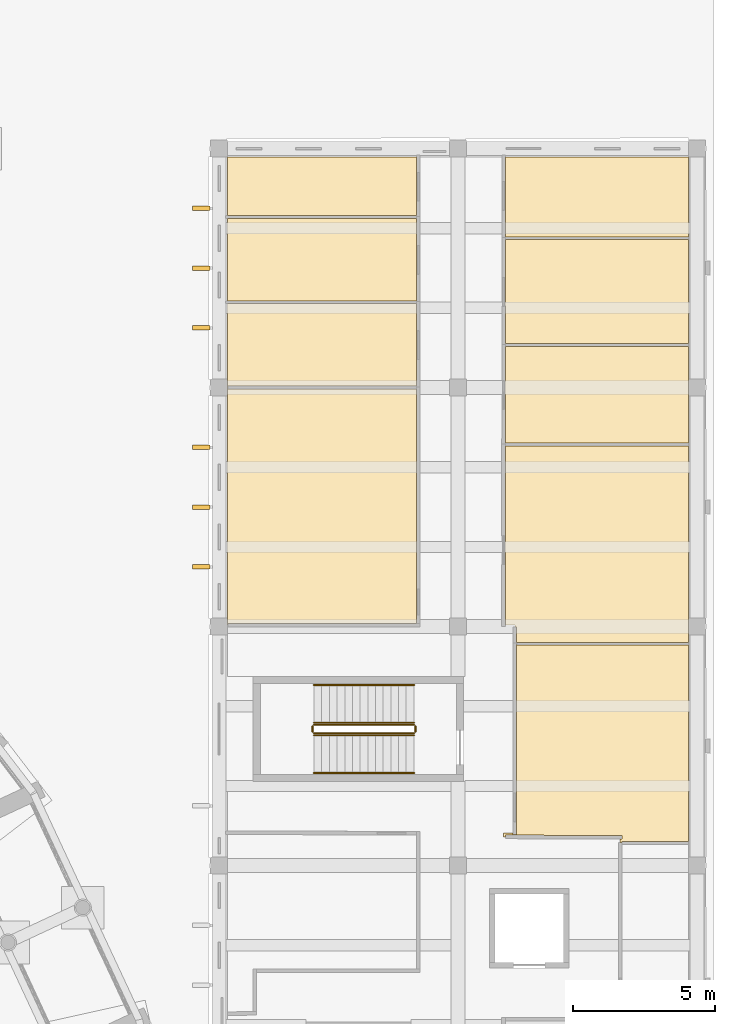
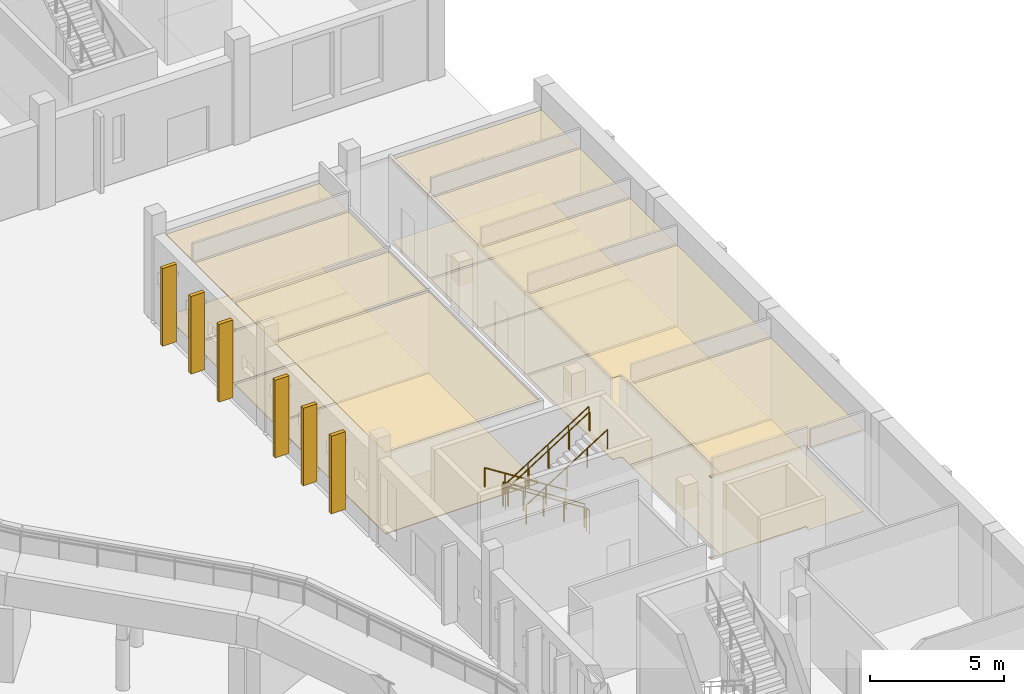
# One storey, part 91 of 110: 24 coverings, 8 railings.
"""IFC4 building model written with IfcOpenShell, lengths in metres."""

from ifc_helpers import new_model, si_unit, direction, frame, origin, origin_2d, place, context, subcontext, project, spatial, polyline, circle, outline, extrude, material, layer, layer_set, type_object, element, save


model = new_model("IFC4")

# Units and contexts
model_context = context("Model", 3, precision=1e-05, world=origin(), true_north=direction((0.0, 1.0)))
body_context = subcontext(model_context, "Body", "Model", "MODEL_VIEW")
ifc_project = project(units=[si_unit("LENGTHUNIT", "METRE"), si_unit("AREAUNIT", "SQUARE_METRE"), si_unit("VOLUMEUNIT", "CUBIC_METRE"), si_unit("PLANEANGLEUNIT", "RADIAN"), si_unit("MASSUNIT", "GRAM", prefix="KILO")], contexts=[model_context])

# Site, building, storey
site_placement = place(None, origin())
site = spatial("IfcSite", under=ifc_project, at=site_placement, CompositionType="ELEMENT")
building_placement = place(site_placement, origin())
building = spatial("IfcBuilding", under=site, at=building_placement, Name="Larchfold Concert Hall", CompositionType="ELEMENT")
storey_placement = place(building_placement, origin())
storey = spatial("IfcBuildingStorey", under=building, at=storey_placement, Name="L00", CompositionType="ELEMENT", Elevation=0.0)

# Coverings
ifc_material_1 = material(Name="Mineral fibre ceiling tile")
ifc_layer_1 = layer(ifc_material_1, 0.02001953125)
ifc_layer_set_1 = layer_set([ifc_layer_1], Name="Mineral fibre ceiling tile")
covering_type_1 = type_object("IfcCoveringType", Name="Ceiling mineral fibre tile 20", PredefinedType="CEILING", material=ifc_layer_set_1)
covering_1_placement = place(storey_placement, frame((0.0, 0.0, 3.719970703125)))
element("IfcCovering", 1, at=covering_1_placement, inside=storey, type_object=covering_type_1, Name="Ceiling Musicians' Showers", PredefinedType="CEILING", context=body_context, shape_type="SweptSolid", body=[
    extrude(outline(polyline([(91.53759765625, 51.0), (91.534912109375, 50.949951171875), (84.920166015625, 50.949951171875), (84.920166015625, 51.0), (84.900146484375, 51.0), (84.900146484375, 42.650146484375), (84.920166015625, 42.650146484375), (84.920166015625, 42.71142578125), (91.60009765625, 42.717529296875), (91.53759765625, 42.717529296875), (91.53759765625, 51.0)])), origin(), (0.0, 0.0, 1.0), 0.02001953125),
])
covering_2_placement = place(storey_placement, frame((0.0, 0.0, 3.719970703125)))
element("IfcCovering", 2, at=covering_2_placement, inside=storey, type_object=covering_type_1, Name="Ceiling Accessible WC", PredefinedType="CEILING", context=body_context, shape_type="SweptSolid", body=[
    extrude(outline(polyline([(94.66162109375, 49.0), (94.6650390625, 49.050048828125), (101.099853515625, 49.050048828125), (101.099853515625, 52.449951171875), (94.6650390625, 52.449951171875), (94.6650390625, 52.5), (94.66162109375, 49.0)])), origin(), (0.0, 0.0, 1.0), 0.02001953125),
])
ifc_material_2 = material(Name="Plasterboard ceiling lining")
ifc_layer_2 = layer(ifc_material_2, 0.030029296875)
ifc_layer_set_2 = layer_set([ifc_layer_2], Name="Plasterboard ceiling lining")
covering_type_2 = type_object("IfcCoveringType", Name="Ceiling suspended plasterboard 30", PredefinedType="CEILING", material=ifc_layer_set_2)
covering_3_placement = place(storey_placement, frame((0.0, 0.0, 3.7099609375)))
element("IfcCovering", 3, at=covering_3_placement, inside=storey, type_object=covering_type_2, Name="Ceiling Dressing Room 10", PredefinedType="CEILING", context=body_context, shape_type="SweptSolid", body=[
    extrude(outline(polyline([(95.0615234375, 42.0), (95.0615234375, 35.28857421875), (94.9365234375, 35.28857421875), (94.9365234375, 35.349853515625), (94.60009765625, 35.349853515625), (94.60009765625, 35.199951171875), (94.66162109375, 35.199951171875), (94.661865234375, 35.270263671875), (98.76171875, 35.261474609375), (98.76123046875, 35.136474609375), (98.699951171875, 35.13671875), (98.699951171875, 35.02001953125), (98.761474609375, 35.02001953125), (98.761474609375, 35.0), (98.764892578125, 35.050048828125), (101.099853515625, 35.050048828125), (101.099853515625, 41.949951171875), (95.06494140625, 41.949951171875), (95.0615234375, 42.0)])), origin(), (0.0, 0.0, 1.0), 0.030029296875),
])
covering_4_placement = place(storey_placement, frame((0.0, 0.0, 3.7099609375)))
element("IfcCovering", 4, at=covering_4_placement, inside=storey, type_object=covering_type_2, Name="Ceiling Dressing Room 11", PredefinedType="CEILING", context=body_context, shape_type="SweptSolid", body=[
    extrude(outline(polyline([(94.6650390625, 49.0), (94.66162109375, 42.650146484375), (95.0, 42.650146484375), (95.0, 42.58642578125), (95.0615234375, 42.58642578125), (95.0615234375, 42.0), (95.06494140625, 42.050048828125), (101.099853515625, 42.050048828125), (101.099853515625, 48.949951171875), (94.6650390625, 48.949951171875), (94.6650390625, 49.0)])), origin(), (0.0, 0.0, 1.0), 0.030029296875),
])
covering_5_placement = place(storey_placement, frame((0.0, 0.0, 3.7099609375)))
element("IfcCovering", 5, at=covering_5_placement, inside=storey, type_object=covering_type_2, Name="Ceiling Dressing Room 04", PredefinedType="CEILING", context=body_context, shape_type="SweptSolid", body=[
    extrude(outline(polyline([(91.534912109375, 51.0), (91.53759765625, 54.0), (91.534912109375, 53.949951171875), (84.900146484375, 53.949951171875), (84.900146484375, 51.0), (84.920166015625, 51.0), (84.920166015625, 51.050048828125), (91.534912109375, 51.050048828125), (91.534912109375, 51.0)])), origin(), (0.0, 0.0, 1.0), 0.030029296875),
])
covering_6_placement = place(storey_placement, frame((0.0, 0.0, 3.7099609375)))
element("IfcCovering", 6, at=covering_6_placement, inside=storey, type_object=covering_type_2, Name="Ceiling Dressing Room 12", PredefinedType="CEILING", context=body_context, shape_type="SweptSolid", body=[
    extrude(outline(polyline([(94.66259765625, 52.52001953125), (94.6650390625, 52.5), (94.6650390625, 52.550048828125), (101.099853515625, 52.550048828125), (101.099853515625, 56.199951171875), (94.6650390625, 56.199951171875), (94.6650390625, 56.25), (94.66259765625, 52.52001953125)])), origin(), (0.0, 0.0, 1.0), 0.030029296875),
])
covering_7_placement = place(storey_placement, frame((0.0, 0.0, 3.7099609375)))
element("IfcCovering", 7, at=covering_7_placement, inside=storey, type_object=covering_type_2, Name="Ceiling Dressing Room 05", PredefinedType="CEILING", context=body_context, shape_type="SweptSolid", body=[
    extrude(outline(polyline([(91.534912109375, 54.0), (91.53759765625, 57.0), (91.534912109375, 56.949951171875), (84.900146484375, 56.949951171875), (84.900146484375, 54.050048828125), (91.534912109375, 54.050048828125), (91.534912109375, 54.0)])), origin(), (0.0, 0.0, 1.0), 0.030029296875),
])
covering_8_placement = place(storey_placement, frame((0.0, 0.0, 3.7099609375)))
element("IfcCovering", 8, at=covering_8_placement, inside=storey, type_object=covering_type_2, Name="Ceiling Dressing Room 06", PredefinedType="CEILING", context=body_context, shape_type="SweptSolid", body=[
    extrude(outline(polyline([(91.534912109375, 57.0), (91.53759765625, 59.099853515625), (84.900146484375, 59.099853515625), (84.900146484375, 57.050048828125), (91.534912109375, 57.050048828125), (91.534912109375, 57.0)])), origin(), (0.0, 0.0, 1.0), 0.030029296875),
])
covering_9_placement = place(storey_placement, frame((0.0, 0.0, 3.7099609375)))
element("IfcCovering", 9, at=covering_9_placement, inside=storey, type_object=covering_type_2, Name="Ceiling Dressing Room 13", PredefinedType="CEILING", context=body_context, shape_type="SweptSolid", body=[
    extrude(outline(polyline([(94.66259765625, 56.25), (94.6650390625, 56.300048828125), (101.099853515625, 56.300048828125), (101.099853515625, 59.099853515625), (94.66259765625, 59.099853515625), (94.66259765625, 56.25)])), origin(), (0.0, 0.0, 1.0), 0.030029296875),
])
ifc_material_3 = material(Name="Ceramic tile")
ifc_layer_3 = layer(ifc_material_3, 0.030029296875)
ifc_layer_set_3 = layer_set([ifc_layer_3], Name="Ceramic tile")
covering_type_3 = type_object("IfcCoveringType", Name="Floor finish ceramic tile 30", PredefinedType="FLOORING", material=ifc_layer_set_3)
covering_10_placement = place(storey_placement, origin())
element("IfcCovering", 10, at=covering_10_placement, inside=storey, type_object=covering_type_3, Name="Floor finish Musicians' Showers", PredefinedType="FLOORING", context=body_context, shape_type="SweptSolid", body=[
    extrude(outline(polyline([(91.53759765625, 51.0), (91.534912109375, 50.949951171875), (84.920166015625, 50.949951171875), (84.920166015625, 51.0), (84.900146484375, 51.0), (84.900146484375, 42.650146484375), (84.920166015625, 42.650146484375), (84.920166015625, 42.71142578125), (91.60009765625, 42.717529296875), (91.53759765625, 42.717529296875), (91.53759765625, 51.0)])), origin(), (0.0, 0.0, 1.0), 0.030029296875),
])
covering_11_placement = place(storey_placement, origin())
element("IfcCovering", 11, at=covering_11_placement, inside=storey, type_object=covering_type_3, Name="Floor finish Accessible WC", PredefinedType="FLOORING", context=body_context, shape_type="SweptSolid", body=[
    extrude(outline(polyline([(94.66162109375, 49.0), (94.6650390625, 49.050048828125), (101.099853515625, 49.050048828125), (101.099853515625, 52.449951171875), (94.6650390625, 52.449951171875), (94.6650390625, 52.5), (94.66162109375, 49.0)])), origin(), (0.0, 0.0, 1.0), 0.030029296875),
])
ifc_material_4 = material(Name="Linoleum sheet")
ifc_layer_4 = layer(ifc_material_4, 0.02001953125)
ifc_layer_set_4 = layer_set([ifc_layer_4], Name="Linoleum sheet")
covering_type_4 = type_object("IfcCoveringType", Name="Floor finish vinyl 20", PredefinedType="FLOORING", material=ifc_layer_set_4)
covering_12_placement = place(storey_placement, origin())
element("IfcCovering", 12, at=covering_12_placement, inside=storey, type_object=covering_type_4, Name="Floor finish Dressing Room 10", PredefinedType="FLOORING", context=body_context, shape_type="SweptSolid", body=[
    extrude(outline(polyline([(95.0615234375, 42.0), (95.0615234375, 35.28857421875), (94.9365234375, 35.28857421875), (94.9365234375, 35.349853515625), (94.60009765625, 35.349853515625), (94.60009765625, 35.199951171875), (94.66162109375, 35.199951171875), (94.661865234375, 35.270263671875), (98.76171875, 35.261474609375), (98.76123046875, 35.136474609375), (98.699951171875, 35.13671875), (98.699951171875, 35.02001953125), (98.761474609375, 35.02001953125), (98.761474609375, 35.0), (98.764892578125, 35.050048828125), (101.099853515625, 35.050048828125), (101.099853515625, 41.949951171875), (95.06494140625, 41.949951171875), (95.0615234375, 42.0)])), origin(), (0.0, 0.0, 1.0), 0.02001953125),
])
covering_13_placement = place(storey_placement, origin())
element("IfcCovering", 13, at=covering_13_placement, inside=storey, type_object=covering_type_4, Name="Floor finish Dressing Room 11", PredefinedType="FLOORING", context=body_context, shape_type="SweptSolid", body=[
    extrude(outline(polyline([(94.6650390625, 49.0), (94.66162109375, 42.650146484375), (95.0, 42.650146484375), (95.0, 42.58642578125), (95.0615234375, 42.58642578125), (95.0615234375, 42.0), (95.06494140625, 42.050048828125), (101.099853515625, 42.050048828125), (101.099853515625, 48.949951171875), (94.6650390625, 48.949951171875), (94.6650390625, 49.0)])), origin(), (0.0, 0.0, 1.0), 0.02001953125),
])
covering_14_placement = place(storey_placement, origin())
element("IfcCovering", 14, at=covering_14_placement, inside=storey, type_object=covering_type_4, Name="Floor finish Dressing Room 04", PredefinedType="FLOORING", context=body_context, shape_type="SweptSolid", body=[
    extrude(outline(polyline([(91.534912109375, 51.0), (91.53759765625, 54.0), (91.534912109375, 53.949951171875), (84.900146484375, 53.949951171875), (84.900146484375, 51.0), (84.920166015625, 51.0), (84.920166015625, 51.050048828125), (91.534912109375, 51.050048828125), (91.534912109375, 51.0)])), origin(), (0.0, 0.0, 1.0), 0.02001953125),
])
covering_15_placement = place(storey_placement, origin())
element("IfcCovering", 15, at=covering_15_placement, inside=storey, type_object=covering_type_4, Name="Floor finish Dressing Room 12", PredefinedType="FLOORING", context=body_context, shape_type="SweptSolid", body=[
    extrude(outline(polyline([(94.66259765625, 52.52001953125), (94.6650390625, 52.5), (94.6650390625, 52.550048828125), (101.099853515625, 52.550048828125), (101.099853515625, 56.199951171875), (94.6650390625, 56.199951171875), (94.6650390625, 56.25), (94.66259765625, 52.52001953125)])), origin(), (0.0, 0.0, 1.0), 0.02001953125),
])
covering_16_placement = place(storey_placement, origin())
element("IfcCovering", 16, at=covering_16_placement, inside=storey, type_object=covering_type_4, Name="Floor finish Dressing Room 05", PredefinedType="FLOORING", context=body_context, shape_type="SweptSolid", body=[
    extrude(outline(polyline([(91.534912109375, 54.0), (91.53759765625, 57.0), (91.534912109375, 56.949951171875), (84.900146484375, 56.949951171875), (84.900146484375, 54.050048828125), (91.534912109375, 54.050048828125), (91.534912109375, 54.0)])), origin(), (0.0, 0.0, 1.0), 0.02001953125),
])
covering_17_placement = place(storey_placement, origin())
element("IfcCovering", 17, at=covering_17_placement, inside=storey, type_object=covering_type_4, Name="Floor finish Dressing Room 06", PredefinedType="FLOORING", context=body_context, shape_type="SweptSolid", body=[
    extrude(outline(polyline([(91.534912109375, 57.0), (91.53759765625, 59.099853515625), (84.900146484375, 59.099853515625), (84.900146484375, 57.050048828125), (91.534912109375, 57.050048828125), (91.534912109375, 57.0)])), origin(), (0.0, 0.0, 1.0), 0.02001953125),
])
covering_18_placement = place(storey_placement, origin())
element("IfcCovering", 18, at=covering_18_placement, inside=storey, type_object=covering_type_4, Name="Floor finish Dressing Room 13", PredefinedType="FLOORING", context=body_context, shape_type="SweptSolid", body=[
    extrude(outline(polyline([(94.66259765625, 56.25), (94.6650390625, 56.300048828125), (101.099853515625, 56.300048828125), (101.099853515625, 59.099853515625), (94.66259765625, 59.099853515625), (94.66259765625, 56.25)])), origin(), (0.0, 0.0, 1.0), 0.02001953125),
])
ifc_material_5 = material(Name="Glulam GL30c", Category="wood")
ifc_layer_5 = layer(ifc_material_5, 0.159912109375)
ifc_layer_set_5 = layer_set([ifc_layer_5], Name="Glulam GL30c")
covering_type_5 = type_object("IfcCoveringType", Name="Glulam fin 160x600", PredefinedType="CLADDING", material=ifc_layer_set_5)
covering_19_placement = place(storey_placement, frame((0.0, 0.0, 0.199951171875)))
element("IfcCovering", 19, at=covering_19_placement, inside=storey, type_object=covering_type_5, Name="Glulam fin FN-L00-034", PredefinedType="CLADDING", context=body_context, shape_type="SweptSolid", body=[
    extrude(outline(polyline([(84.275146484375, 53.02001953125), (84.275146484375, 53.179931640625), (83.675048828125, 53.179931640625), (83.675048828125, 53.02001953125), (84.275146484375, 53.02001953125)])), origin(), (0.0, 0.0, 1.0), 3.5400390625),
])
covering_20_placement = place(storey_placement, frame((0.0, 0.0, 0.199951171875)))
element("IfcCovering", 20, at=covering_20_placement, inside=storey, type_object=covering_type_5, Name="Glulam fin FN-L00-035", PredefinedType="CLADDING", context=body_context, shape_type="SweptSolid", body=[
    extrude(outline(polyline([(84.275146484375, 55.1201171875), (84.275146484375, 55.280029296875), (83.675048828125, 55.280029296875), (83.675048828125, 55.1201171875), (84.275146484375, 55.1201171875)])), origin(), (0.0, 0.0, 1.0), 3.5400390625),
])
covering_21_placement = place(storey_placement, frame((0.0, 0.0, 0.199951171875)))
element("IfcCovering", 21, at=covering_21_placement, inside=storey, type_object=covering_type_5, Name="Glulam fin FN-L00-036", PredefinedType="CLADDING", context=body_context, shape_type="SweptSolid", body=[
    extrude(outline(polyline([(84.275146484375, 57.219970703125), (84.275146484375, 57.3798828125), (83.675048828125, 57.3798828125), (83.675048828125, 57.219970703125), (84.275146484375, 57.219970703125)])), origin(), (0.0, 0.0, 1.0), 3.5400390625),
])
covering_22_placement = place(storey_placement, frame((0.0, 0.0, 0.199951171875)))
element("IfcCovering", 22, at=covering_22_placement, inside=storey, type_object=covering_type_5, Name="Glulam fin FN-L00-037", PredefinedType="CLADDING", context=body_context, shape_type="SweptSolid", body=[
    extrude(outline(polyline([(84.275146484375, 44.6201171875), (84.275146484375, 44.780029296875), (83.675048828125, 44.780029296875), (83.675048828125, 44.6201171875), (84.275146484375, 44.6201171875)])), origin(), (0.0, 0.0, 1.0), 3.5400390625),
])
covering_23_placement = place(storey_placement, frame((0.0, 0.0, 0.199951171875)))
element("IfcCovering", 23, at=covering_23_placement, inside=storey, type_object=covering_type_5, Name="Glulam fin FN-L00-038", PredefinedType="CLADDING", context=body_context, shape_type="SweptSolid", body=[
    extrude(outline(polyline([(84.275146484375, 46.719970703125), (84.275146484375, 46.8798828125), (83.675048828125, 46.8798828125), (83.675048828125, 46.719970703125), (84.275146484375, 46.719970703125)])), origin(), (0.0, 0.0, 1.0), 3.5400390625),
])
covering_24_placement = place(storey_placement, frame((0.0, 0.0, 0.199951171875)))
element("IfcCovering", 24, at=covering_24_placement, inside=storey, type_object=covering_type_5, Name="Glulam fin FN-L00-039", PredefinedType="CLADDING", context=body_context, shape_type="SweptSolid", body=[
    extrude(outline(polyline([(84.275146484375, 48.820068359375), (84.275146484375, 48.97998046875), (83.675048828125, 48.97998046875), (83.675048828125, 48.820068359375), (84.275146484375, 48.820068359375)])), origin(), (0.0, 0.0, 1.0), 3.5400390625),
])

# Railings
ifc_material_6 = material(Name="Stainless steel balustrade", Category="steel")
railing_type_1 = type_object("IfcRailingType", Name="Stair guard 1100", PredefinedType="GUARDRAIL", material=ifc_material_6)
railing_1_placement = place(storey_placement, frame((91.449951171875, 39.150146484375, 0.17138671875)))
element("IfcRailing", 25, at=railing_1_placement, inside=storey, type_object=railing_type_1, Name="Guard GR0061", PredefinedType="GUARDRAIL", context=body_context, shape_type="SweptSolid", body=[
    extrude(circle(Radius=0.02392578125, at=origin_2d()), frame((0.0, 0.0, 1.076171875), z_axis=(-0.844219563411, 0.0, 0.53599750816), x_axis=(0.0, -1.0, 0.0)), (0.0, 0.0, 1.0), 4.15771484375),
    extrude(circle(Radius=0.02099609375, at=origin_2d()), origin(), (0.0, 0.0, 1.0), 1.052001953125),
    extrude(circle(Radius=0.02099609375, at=origin_2d()), frame((-0.87744140625, 0.0, 0.55712890625)), (0.0, 0.0, 1.0), 1.052001953125),
    extrude(circle(Radius=0.02099609375, at=origin_2d()), frame((-1.7548828125, 0.0, 1.1142578125)), (0.0, 0.0, 1.0), 1.052001953125),
    extrude(circle(Radius=0.02099609375, at=origin_2d()), frame((-2.632568359375, 0.0, 1.67138671875)), (0.0, 0.0, 1.0), 1.052001953125),
    extrude(circle(Radius=0.02099609375, at=origin_2d()), frame((-3.510009765625, 0.0, 2.228515625)), (0.0, 0.0, 1.0), 1.052001953125),
])
railing_2_placement = place(storey_placement, frame((87.889892578125, 39.10009765625, 2.39990234375)))
element("IfcRailing", 26, at=railing_2_placement, inside=storey, type_object=railing_type_1, Name="Guard GR0062", PredefinedType="GUARDRAIL", context=body_context, shape_type="SweptSolid", body=[
    extrude(circle(Radius=0.02392578125, at=origin_2d()), frame((0.0, 0.0, 1.076171875), z_axis=(0.0, -1.0, 0.0), x_axis=(1.0, 0.0, 0.0)), (0.0, 0.0, 1.0), 0.199951171875),
    extrude(circle(Radius=0.02099609375, at=origin_2d()), origin(), (0.0, 0.0, 1.0), 1.052001953125),
    extrude(circle(Radius=0.02099609375, at=origin_2d()), frame((0.0, -0.199951171875, 0.0)), (0.0, 0.0, 1.0), 1.052001953125),
])
railing_3_placement = place(storey_placement, frame((87.93994140625, 38.85009765625, 2.571533203125)))
element("IfcRailing", 27, at=railing_3_placement, inside=storey, type_object=railing_type_1, Name="Guard GR0063", PredefinedType="GUARDRAIL", context=body_context, shape_type="SweptSolid", body=[
    extrude(circle(Radius=0.02392578125, at=origin_2d()), frame((0.0, 0.0, 1.076171875), z_axis=(0.844219563411, 0.0, 0.53599750816), x_axis=(0.0, 1.0, 0.0)), (0.0, 0.0, 1.0), 4.15771484375),
    extrude(circle(Radius=0.02099609375, at=origin_2d()), origin(), (0.0, 0.0, 1.0), 1.052001953125),
    extrude(circle(Radius=0.02099609375, at=origin_2d()), frame((0.87744140625, 0.0, 0.55712890625)), (0.0, 0.0, 1.0), 1.052001953125),
    extrude(circle(Radius=0.02099609375, at=origin_2d()), frame((1.7548828125, 0.0, 1.1142578125)), (0.0, 0.0, 1.0), 1.052001953125),
    extrude(circle(Radius=0.02099609375, at=origin_2d()), frame((2.632568359375, 0.0, 1.67138671875)), (0.0, 0.0, 1.0), 1.052001953125),
    extrude(circle(Radius=0.02099609375, at=origin_2d()), frame((3.510009765625, 0.0, 2.228515625)), (0.0, 0.0, 1.0), 1.052001953125),
])
railing_4_placement = place(storey_placement, frame((91.5, 39.10009765625, 0.0)))
element("IfcRailing", 28, at=railing_4_placement, inside=storey, type_object=railing_type_1, Name="Guard GR0064", PredefinedType="GUARDRAIL", context=body_context, shape_type="SweptSolid", body=[
    extrude(circle(Radius=0.02392578125, at=origin_2d()), frame((0.0, 0.0, 1.076171875), z_axis=(0.0, -1.0, 0.0), x_axis=(1.0, 0.0, 0.0)), (0.0, 0.0, 1.0), 0.199951171875),
    extrude(circle(Radius=0.02099609375, at=origin_2d()), origin(), (0.0, 0.0, 1.0), 1.052001953125),
    extrude(circle(Radius=0.02099609375, at=origin_2d()), frame((0.0, -0.199951171875, 0.0)), (0.0, 0.0, 1.0), 1.052001953125),
])
ifc_material_7 = material(Name="Stainless steel handrail", Category="steel")
railing_type_2 = type_object("IfcRailingType", Name="Stair handrail 900", PredefinedType="HANDRAIL", material=ifc_material_7)
railing_5_placement = place(storey_placement, frame((91.449951171875, 40.550048828125, 0.17138671875)))
element("IfcRailing", 29, at=railing_5_placement, inside=storey, type_object=railing_type_2, Name="Handrail HR0057", PredefinedType="HANDRAIL", context=body_context, shape_type="SweptSolid", body=[
    extrude(circle(Radius=0.02392578125, at=origin_2d()), frame((0.0, 0.0, 0.8759765625), z_axis=(-0.844219563411, 0.0, 0.53599750816), x_axis=(0.0, -1.0, 0.0)), (0.0, 0.0, 1.0), 4.15771484375),
    extrude(circle(Radius=0.02099609375, at=origin_2d()), origin(), (0.0, 0.0, 1.0), 0.851806640625),
    extrude(circle(Radius=0.02099609375, at=origin_2d()), frame((-0.87744140625, 0.0, 0.55712890625)), (0.0, 0.0, 1.0), 0.851806640625),
    extrude(circle(Radius=0.02099609375, at=origin_2d()), frame((-1.7548828125, 0.0, 1.1142578125)), (0.0, 0.0, 1.0), 0.851806640625),
    extrude(circle(Radius=0.02099609375, at=origin_2d()), frame((-2.632568359375, 0.0, 1.67138671875)), (0.0, 0.0, 1.0), 0.851806640625),
    extrude(circle(Radius=0.02099609375, at=origin_2d()), frame((-3.510009765625, 0.0, 2.228515625)), (0.0, 0.0, 1.0), 0.851806640625),
])
railing_6_placement = place(storey_placement, frame((87.93994140625, 37.4501953125, 2.571533203125)))
element("IfcRailing", 30, at=railing_6_placement, inside=storey, type_object=railing_type_2, Name="Handrail HR0058", PredefinedType="HANDRAIL", context=body_context, shape_type="SweptSolid", body=[
    extrude(circle(Radius=0.02392578125, at=origin_2d()), frame((0.0, 0.0, 0.8759765625), z_axis=(0.844219563411, 0.0, 0.53599750816), x_axis=(0.0, 1.0, 0.0)), (0.0, 0.0, 1.0), 4.15771484375),
    extrude(circle(Radius=0.02099609375, at=origin_2d()), origin(), (0.0, 0.0, 1.0), 0.851806640625),
    extrude(circle(Radius=0.02099609375, at=origin_2d()), frame((0.87744140625, 0.0, 0.55712890625)), (0.0, 0.0, 1.0), 0.851806640625),
    extrude(circle(Radius=0.02099609375, at=origin_2d()), frame((1.7548828125, 0.0, 1.1142578125)), (0.0, 0.0, 1.0), 0.851806640625),
    extrude(circle(Radius=0.02099609375, at=origin_2d()), frame((2.632568359375, 0.0, 1.67138671875)), (0.0, 0.0, 1.0), 0.851806640625),
    extrude(circle(Radius=0.02099609375, at=origin_2d()), frame((3.510009765625, 0.0, 2.228515625)), (0.0, 0.0, 1.0), 0.851806640625),
])
railing_7_placement = place(storey_placement, frame((91.449951171875, 39.22021484375, 0.17138671875)))
element("IfcRailing", 31, at=railing_7_placement, inside=storey, type_object=railing_type_2, Name="Handrail HR0059", PredefinedType="HANDRAIL", context=body_context, shape_type="SweptSolid", body=[
    extrude(circle(Radius=0.02392578125, at=origin_2d()), frame((0.0, 0.0, 0.8759765625), z_axis=(-0.844219563411, 0.0, 0.53599750816), x_axis=(0.0, -1.0, 0.0)), (0.0, 0.0, 1.0), 4.15771484375),
    extrude(circle(Radius=0.02099609375, at=origin_2d()), origin(), (0.0, 0.0, 1.0), 0.851806640625),
    extrude(circle(Radius=0.02099609375, at=origin_2d()), frame((-0.87744140625, 0.0, 0.55712890625)), (0.0, 0.0, 1.0), 0.851806640625),
    extrude(circle(Radius=0.02099609375, at=origin_2d()), frame((-1.7548828125, 0.0, 1.1142578125)), (0.0, 0.0, 1.0), 0.851806640625),
    extrude(circle(Radius=0.02099609375, at=origin_2d()), frame((-2.632568359375, 0.0, 1.67138671875)), (0.0, 0.0, 1.0), 0.851806640625),
    extrude(circle(Radius=0.02099609375, at=origin_2d()), frame((-3.510009765625, 0.0, 2.228515625)), (0.0, 0.0, 1.0), 0.851806640625),
])
railing_8_placement = place(storey_placement, frame((87.93994140625, 38.780029296875, 2.571533203125)))
element("IfcRailing", 32, at=railing_8_placement, inside=storey, type_object=railing_type_2, Name="Handrail HR0060", PredefinedType="HANDRAIL", context=body_context, shape_type="SweptSolid", body=[
    extrude(circle(Radius=0.02392578125, at=origin_2d()), frame((0.0, 0.0, 0.8759765625), z_axis=(0.844219563411, 0.0, 0.53599750816), x_axis=(0.0, 1.0, 0.0)), (0.0, 0.0, 1.0), 4.15771484375),
    extrude(circle(Radius=0.02099609375, at=origin_2d()), origin(), (0.0, 0.0, 1.0), 0.851806640625),
    extrude(circle(Radius=0.02099609375, at=origin_2d()), frame((0.87744140625, 0.0, 0.55712890625)), (0.0, 0.0, 1.0), 0.851806640625),
    extrude(circle(Radius=0.02099609375, at=origin_2d()), frame((1.7548828125, 0.0, 1.1142578125)), (0.0, 0.0, 1.0), 0.851806640625),
    extrude(circle(Radius=0.02099609375, at=origin_2d()), frame((2.632568359375, 0.0, 1.67138671875)), (0.0, 0.0, 1.0), 0.851806640625),
    extrude(circle(Radius=0.02099609375, at=origin_2d()), frame((3.510009765625, 0.0, 2.228515625)), (0.0, 0.0, 1.0), 0.851806640625),
])

save(model, "model.ifc")
